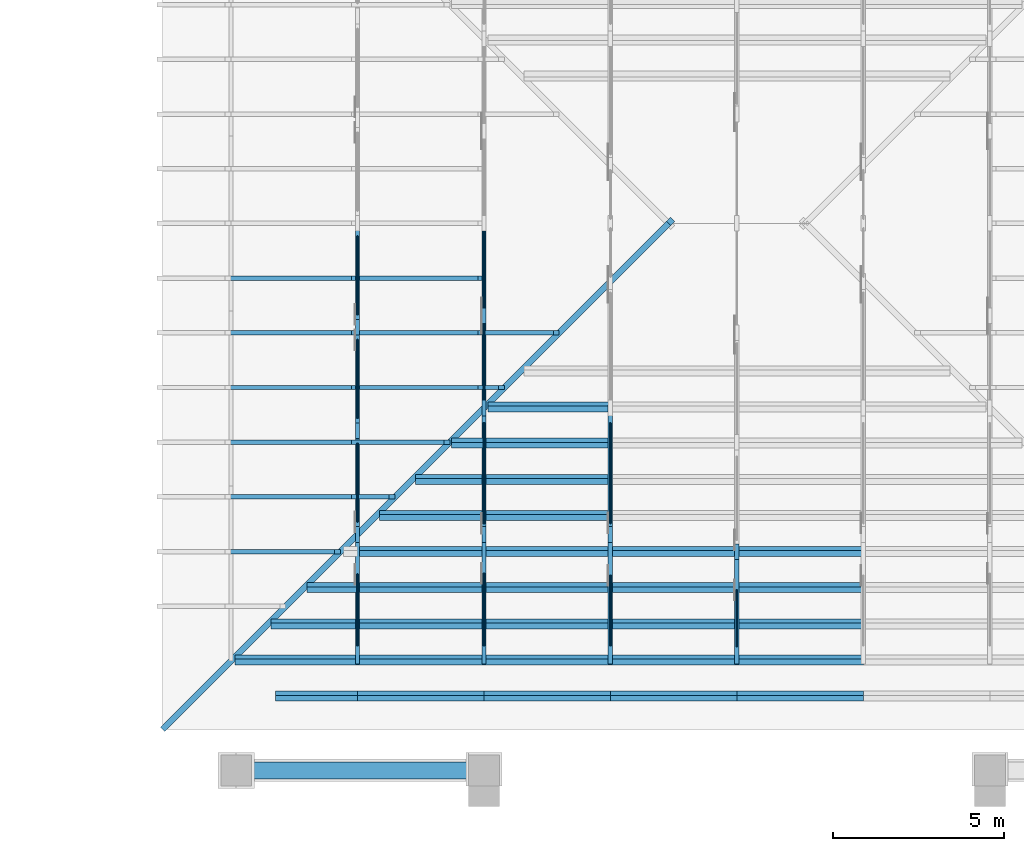
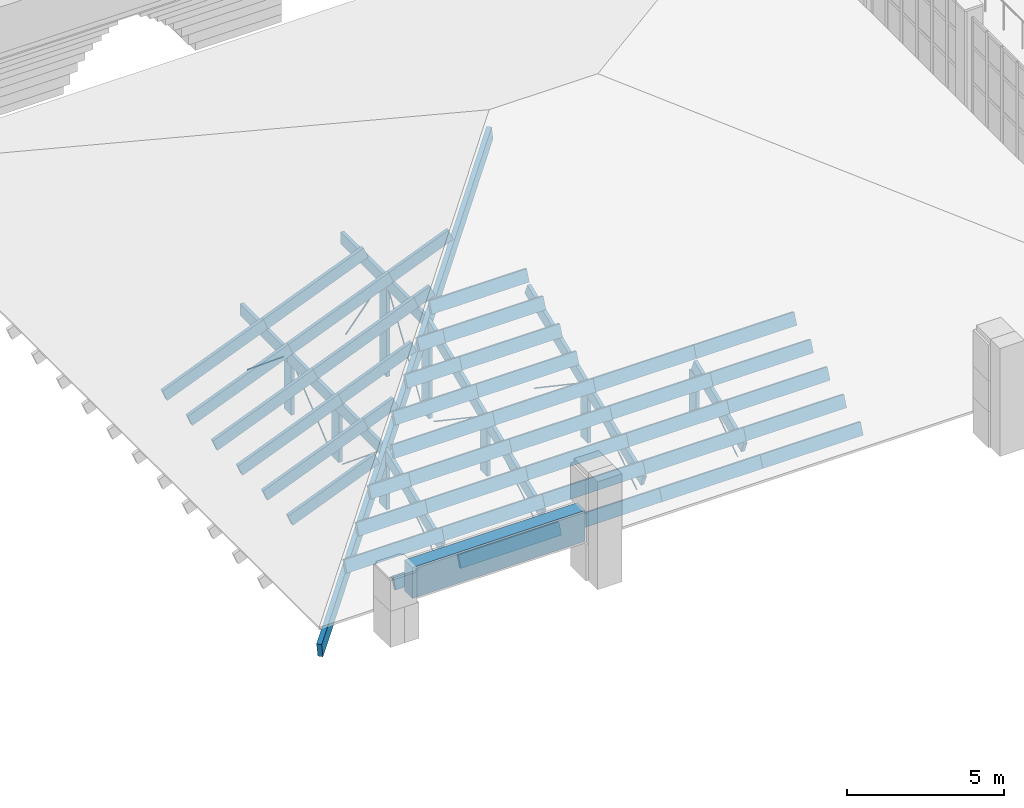
# One storey, part 4 of 68: 74 members, 2 beams.
"""IFC4 building model written with IfcOpenShell, lengths in metres."""

from ifc_helpers import new_model, si_unit, direction, frame, origin, origin_2d, place, context, subcontext, project, spatial, rectangle, circle, extrude, material, material_profile, profile_set, type_object, element, save


model = new_model("IFC4")

# Units and contexts
model_context = context("Model", 3, precision=1e-05, world=origin(), true_north=direction((0.0, 1.0)))
body_context = subcontext(model_context, "Body", "Model", "MODEL_VIEW")
ifc_project = project(units=[si_unit("LENGTHUNIT", "METRE"), si_unit("AREAUNIT", "SQUARE_METRE"), si_unit("VOLUMEUNIT", "CUBIC_METRE"), si_unit("PLANEANGLEUNIT", "RADIAN"), si_unit("MASSUNIT", "GRAM", prefix="KILO")], contexts=[model_context])

# Site, building, storey
site_placement = place(None, origin())
site = spatial("IfcSite", under=ifc_project, at=site_placement, CompositionType="ELEMENT")
building_placement = place(site_placement, origin())
building = spatial("IfcBuilding", under=site, at=building_placement, Name="Wasatch Bagh Community Centre", CompositionType="ELEMENT")
storey_placement = place(building_placement, frame((0.0, 0.0, 8.39990234375)))
storey = spatial("IfcBuildingStorey", under=building, at=storey_placement, Name="L02", CompositionType="ELEMENT", Elevation=8.39990234375)

# Beam
ifc_material_1 = material(Name="Concrete C35", Category="concrete")
ifc_material_profile_1 = material_profile(ifc_material_1, rectangle(XDim=0.5, YDim=1.199951171875, at=origin_2d()), Name="RC 500x1200")
ifc_profile_set_1 = profile_set([ifc_material_profile_1], Name="Concrete C35")
beam_type_1 = type_object("IfcBeamType", Name="CL-B3", PredefinedType="BEAM", material=ifc_profile_set_1)
beam_1_placement = place(storey_placement, frame((66.800048828125, 3.0, 2.0), z_axis=(1.0, 0.0, 0.0), x_axis=(0.0, 1.0, 0.0)))
element("IfcBeam", 1, at=beam_1_placement, inside=storey, type_object=beam_type_1, Name="CL-B3 head beam DHA1", PredefinedType="BEAM", context=body_context, shape_type="SweptSolid", body=[
    extrude(rectangle(XDim=0.5, YDim=1.199951171875, at=origin_2d()), origin(), (0.0, 0.0, 1.0), 6.349853515625),
])

# Members
ifc_material_2 = material(Name="Glulam 24F-V4 Douglas fir-larch", Category="wood")
ifc_material_profile_2 = material_profile(ifc_material_2, rectangle(XDim=0.130126953125, YDim=0.457275390625, at=origin_2d()), Name="GL 130x457")
ifc_profile_set_2 = profile_set([ifc_material_profile_2], Name="Glulam 24F-V4 Douglas fir-larch")
member_type_1 = type_object("IfcMemberType", Name="DH GL 130x457 chord", PredefinedType="CHORD", material=ifc_profile_set_2)
member_1_placement = place(storey_placement, frame((69.89990234375, 6.20068359375, 0.211181640625), z_axis=(0.0, 0.925992338678, 0.377542300557), x_axis=(-1.0, 0.0, 0.0)))
element("IfcMember", 2, at=member_1_placement, inside=storey, type_object=member_type_1, Name="DH.TH1.TC02", PredefinedType="CHORD", context=body_context, shape_type="SweptSolid", body=[
    extrude(rectangle(XDim=0.130126953125, YDim=0.457275390625, at=origin_2d()), origin(), (0.0, 0.0, 1.0), 3.94970703125),
])
member_2_placement = place(storey_placement, frame((69.89990234375, 9.945068359375, 1.719482421875), z_axis=(0.0, 0.999999035022, 0.001389228046), x_axis=(-1.0, 0.0, 0.0)))
element("IfcMember", 3, at=member_2_placement, inside=storey, type_object=member_type_1, Name="DH.TH1.TC03", PredefinedType="CHORD", context=body_context, shape_type="SweptSolid", body=[
    extrude(rectangle(XDim=0.130126953125, YDim=0.457275390625, at=origin_2d()), origin(), (0.0, 0.0, 1.0), 2.987548828125),
])
member_3_placement = place(storey_placement, frame((69.89990234375, 12.93408203125, 1.7236328125), z_axis=(0.0, 1.0, 0.0), x_axis=(-1.0, 0.0, 0.0)))
element("IfcMember", 4, at=member_3_placement, inside=storey, type_object=member_type_1, Name="DH.TH1.TC04", PredefinedType="CHORD", context=body_context, shape_type="SweptSolid", body=[
    extrude(rectangle(XDim=0.130126953125, YDim=0.457275390625, at=origin_2d()), origin(), (0.0, 0.0, 1.0), 3.031982421875),
])
member_4_placement = place(storey_placement, frame((69.89990234375, 15.96728515625, 1.7236328125), z_axis=(0.0, 1.0, 0.0), x_axis=(-1.0, 0.0, 0.0)))
element("IfcMember", 5, at=member_4_placement, inside=storey, type_object=member_type_1, Name="DH.TH1.TC05", PredefinedType="CHORD", context=body_context, shape_type="SweptSolid", body=[
    extrude(rectangle(XDim=0.130126953125, YDim=0.457275390625, at=origin_2d()), origin(), (0.0, 0.0, 1.0), 3.0322265625),
])
member_5_placement = place(storey_placement, frame((73.60009765625, 6.200439453125, 0.2109375), z_axis=(0.0, 0.927183797629, 0.374606734342), x_axis=(-1.0, 0.0, 0.0)))
element("IfcMember", 6, at=member_5_placement, inside=storey, type_object=member_type_1, Name="DH.TH2.TC02", PredefinedType="CHORD", context=body_context, shape_type="SweptSolid", body=[
    extrude(rectangle(XDim=0.130126953125, YDim=0.457275390625, at=origin_2d()), origin(), (0.0, 0.0, 1.0), 3.9892578125),
])
member_6_placement = place(storey_placement, frame((73.60009765625, 9.90087890625, 1.7060546875), z_axis=(0.0, 0.925983527477, 0.377563910936), x_axis=(-1.0, 0.0, 0.0)))
element("IfcMember", 7, at=member_6_placement, inside=storey, type_object=member_type_1, Name="DH.TH2.TC03", PredefinedType="CHORD", context=body_context, shape_type="SweptSolid", body=[
    extrude(rectangle(XDim=0.130126953125, YDim=0.457275390625, at=origin_2d()), origin(), (0.0, 0.0, 1.0), 3.949462890625),
])
member_7_placement = place(storey_placement, frame((73.60009765625, 13.64501953125, 3.21435546875), z_axis=(0.0, 0.999998777502, 0.001563647831), x_axis=(-1.0, 0.0, 0.0)))
element("IfcMember", 8, at=member_7_placement, inside=storey, type_object=member_type_1, Name="DH.TH2.TC04", PredefinedType="CHORD", context=body_context, shape_type="SweptSolid", body=[
    extrude(rectangle(XDim=0.130126953125, YDim=0.457275390625, at=origin_2d()), origin(), (0.0, 0.0, 1.0), 2.654296875),
])
member_8_placement = place(storey_placement, frame((73.60009765625, 16.30078125, 3.218505859375), z_axis=(0.0, 1.0, 0.0), x_axis=(-1.0, 0.0, 0.0)))
element("IfcMember", 9, at=member_8_placement, inside=storey, type_object=member_type_1, Name="DH.TH2.TC05", PredefinedType="CHORD", context=body_context, shape_type="SweptSolid", body=[
    extrude(rectangle(XDim=0.130126953125, YDim=0.457275390625, at=origin_2d()), origin(), (0.0, 0.0, 1.0), 2.69873046875),
])
member_9_placement = place(storey_placement, frame((77.300048828125, 6.200439453125, 0.2109375), z_axis=(0.0, 0.927179717978, 0.37461683167), x_axis=(-1.0, 0.0, 0.0)))
element("IfcMember", 10, at=member_9_placement, inside=storey, type_object=member_type_1, Name="DH.TH3.TC02", PredefinedType="CHORD", context=body_context, shape_type="SweptSolid", body=[
    extrude(rectangle(XDim=0.130126953125, YDim=0.457275390625, at=origin_2d()), origin(), (0.0, 0.0, 1.0), 3.98974609375),
])
member_10_placement = place(storey_placement, frame((77.300048828125, 9.900390625, 1.705810546875), z_axis=(0.0, 0.927183797629, 0.374606734342), x_axis=(-1.0, 0.0, 0.0)))
element("IfcMember", 11, at=member_10_placement, inside=storey, type_object=member_type_1, Name="DH.TH3.TC03", PredefinedType="CHORD", context=body_context, shape_type="SweptSolid", body=[
    extrude(rectangle(XDim=0.130126953125, YDim=0.457275390625, at=origin_2d()), origin(), (0.0, 0.0, 1.0), 3.9892578125),
])
member_11_placement = place(storey_placement, frame((81.0, 6.200439453125, 0.2109375), z_axis=(0.0, 0.927192693318, 0.374584715997), x_axis=(-1.0, 0.0, 0.0)))
element("IfcMember", 12, at=member_11_placement, inside=storey, type_object=member_type_1, Name="DH.TH4.TC02", PredefinedType="CHORD", context=body_context, shape_type="SweptSolid", body=[
    extrude(rectangle(XDim=0.130126953125, YDim=0.457275390625, at=origin_2d()), origin(), (0.0, 0.0, 1.0), 3.450439453125),
])
ifc_material_profile_3 = material_profile(ifc_material_2, rectangle(XDim=0.130126953125, YDim=0.457275390625, at=origin_2d()), Name="GL 130x457")
ifc_profile_set_3 = profile_set([ifc_material_profile_3], Name="Glulam 24F-V4 Douglas fir-larch")
member_type_2 = type_object("IfcMemberType", Name="DH GL 130x457 post", PredefinedType="POST", material=ifc_profile_set_3)
member_12_placement = place(storey_placement, frame((69.89990234375, 9.89990234375, -0.422607421875), z_axis=(0.0, 0.0, 1.0), x_axis=(1.0, 0.0, 0.0)))
element("IfcMember", 13, at=member_12_placement, inside=storey, type_object=member_type_2, Name="DH.TH1.PS02", PredefinedType="POST", context=body_context, shape_type="SweptSolid", body=[
    extrude(rectangle(XDim=0.130126953125, YDim=0.457275390625, at=origin_2d()), origin(), (0.0, 0.0, 1.0), 1.85498046875),
])
for number, where, z_axis, x_axis, name in (
    (14, (69.89990234375, 12.933349609375, -0.422607421875), (0.0, 0.0, 1.0), (1.0, 0.0, 0.0), "DH.TH1.PS03"),
    (15, (69.89990234375, 15.966552734375, -0.422607421875), (0.0, 0.0, 1.0), (1.0, 0.0, 0.0), "DH.TH1.PS04"),
):
    element("IfcMember", number, at=place(storey_placement, frame(where, z_axis=z_axis, x_axis=x_axis)), inside=storey, type_object=member_type_2, Name=name, PredefinedType="POST", context=body_context, shape_type="SweptSolid", body=[
        extrude(rectangle(XDim=0.130126953125, YDim=0.457275390625, at=origin_2d()), origin(), (0.0, 0.0, 1.0), 1.9169921875),
    ])
member_13_placement = place(storey_placement, frame((73.60009765625, 9.89990234375, -0.422607421875), z_axis=(0.0, 0.0, 1.0), x_axis=(1.0, 0.0, 0.0)))
element("IfcMember", 16, at=member_13_placement, inside=storey, type_object=member_type_2, Name="DH.TH2.PS02", PredefinedType="POST", context=body_context, shape_type="SweptSolid", body=[
    extrude(rectangle(XDim=0.130126953125, YDim=0.457275390625, at=origin_2d()), origin(), (0.0, 0.0, 1.0), 1.854248046875),
])
member_14_placement = place(storey_placement, frame((73.60009765625, 13.60009765625, -0.422607421875), z_axis=(0.0, 0.0, 1.0), x_axis=(1.0, 0.0, 0.0)))
element("IfcMember", 17, at=member_14_placement, inside=storey, type_object=member_type_2, Name="DH.TH2.PS03", PredefinedType="POST", context=body_context, shape_type="SweptSolid", body=[
    extrude(rectangle(XDim=0.130126953125, YDim=0.457275390625, at=origin_2d()), origin(), (0.0, 0.0, 1.0), 3.349853515625),
])
member_15_placement = place(storey_placement, frame((73.60009765625, 16.300048828125, -0.422607421875), z_axis=(0.0, 0.0, 1.0), x_axis=(1.0, 0.0, 0.0)))
element("IfcMember", 18, at=member_15_placement, inside=storey, type_object=member_type_2, Name="DH.TH2.PS04", PredefinedType="POST", context=body_context, shape_type="SweptSolid", body=[
    extrude(rectangle(XDim=0.130126953125, YDim=0.457275390625, at=origin_2d()), origin(), (0.0, 0.0, 1.0), 3.411865234375),
])
member_16_placement = place(storey_placement, frame((77.300048828125, 9.89990234375, -0.422607421875), z_axis=(0.0, 0.0, 1.0), x_axis=(1.0, 0.0, 0.0)))
element("IfcMember", 19, at=member_16_placement, inside=storey, type_object=member_type_2, Name="DH.TH3.PS02", PredefinedType="POST", context=body_context, shape_type="SweptSolid", body=[
    extrude(rectangle(XDim=0.130126953125, YDim=0.457275390625, at=origin_2d()), origin(), (0.0, 0.0, 1.0), 1.840576171875),
])
member_17_placement = place(storey_placement, frame((81.0, 9.39990234375, -0.422607421875), z_axis=(0.0, 0.0, 1.0), x_axis=(1.0, 0.0, 0.0)))
element("IfcMember", 20, at=member_17_placement, inside=storey, type_object=member_type_2, Name="DH.TH4.PS02", PredefinedType="POST", context=body_context, shape_type="SweptSolid", body=[
    extrude(rectangle(XDim=0.130126953125, YDim=0.457275390625, at=origin_2d()), origin(), (0.0, 0.0, 1.0), 1.6162109375),
])
ifc_material_profile_4 = material_profile(ifc_material_2, rectangle(XDim=0.130126953125, YDim=0.457275390625, at=origin_2d()), Name="GL 130x457")
ifc_profile_set_4 = profile_set([ifc_material_profile_4], Name="Glulam 24F-V4 Douglas fir-larch")
member_type_3 = type_object("IfcMemberType", Name="DH GL 130x457 purlin", PredefinedType="PURLIN", material=ifc_profile_set_4)
member_18_placement = place(storey_placement, frame((67.5, 5.17138671875, 0.288330078125), z_axis=(1.0, 0.0, 0.0), x_axis=(0.0, 0.927183854567, -0.374606593416)))
element("IfcMember", 21, at=member_18_placement, inside=storey, type_object=member_type_3, Name="DH.PUR.S02.1", PredefinedType="PURLIN", context=body_context, shape_type="SweptSolid", body=[
    extrude(rectangle(XDim=0.130126953125, YDim=0.457275390625, at=origin_2d()), origin(), (0.0, 0.0, 1.0), 2.39990234375),
])
member_19_placement = place(storey_placement, frame((69.89990234375, 5.17138671875, 0.288330078125), z_axis=(1.0, 0.0, 0.0), x_axis=(0.0, 0.927183854567, -0.374606593416)))
element("IfcMember", 22, at=member_19_placement, inside=storey, type_object=member_type_3, Name="DH.PUR.S02.2", PredefinedType="PURLIN", context=body_context, shape_type="SweptSolid", body=[
    extrude(rectangle(XDim=0.130126953125, YDim=0.457275390625, at=origin_2d()), origin(), (0.0, 0.0, 1.0), 3.7001953125),
])
for number, where, z_axis, x_axis, name in (
    (23, (73.60009765625, 5.17138671875, 0.288330078125), (1.0, 0.0, 0.0), (0.0, 0.927183854567, -0.374606593416), "DH.PUR.S02.3"),
    (24, (77.300048828125, 5.17138671875, 0.288330078125), (1.0, 0.0, 0.0), (0.0, 0.927183854567, -0.374606593416), "DH.PUR.S02.4"),
    (25, (81.0, 5.17138671875, 0.288330078125), (1.0, 0.0, 0.0), (0.0, 0.927183854567, -0.374606593416), "DH.PUR.S02.5"),
):
    element("IfcMember", number, at=place(storey_placement, frame(where, z_axis=z_axis, x_axis=x_axis)), inside=storey, type_object=member_type_3, Name=name, PredefinedType="PURLIN", context=body_context, shape_type="SweptSolid", body=[
        extrude(rectangle(XDim=0.130126953125, YDim=0.457275390625, at=origin_2d()), origin(), (0.0, 0.0, 1.0), 3.699951171875),
    ])
member_20_placement = place(storey_placement, frame((66.314208984375, 6.228759765625, 0.71533203125), z_axis=(1.0, 0.0, 0.0), x_axis=(0.0, 0.927183854567, -0.374606593416)))
element("IfcMember", 26, at=member_20_placement, inside=storey, type_object=member_type_3, Name="DH.PUR.S03.1", PredefinedType="PURLIN", context=body_context, shape_type="SweptSolid", body=[
    extrude(rectangle(XDim=0.130126953125, YDim=0.457275390625, at=origin_2d()), origin(), (0.0, 0.0, 1.0), 3.585693359375),
])
member_21_placement = place(storey_placement, frame((69.89990234375, 6.228759765625, 0.71533203125), z_axis=(1.0, 0.0, 0.0), x_axis=(0.0, 0.927183854567, -0.374606593416)))
element("IfcMember", 27, at=member_21_placement, inside=storey, type_object=member_type_3, Name="DH.PUR.S03.2", PredefinedType="PURLIN", context=body_context, shape_type="SweptSolid", body=[
    extrude(rectangle(XDim=0.130126953125, YDim=0.457275390625, at=origin_2d()), origin(), (0.0, 0.0, 1.0), 3.7001953125),
])
for number, where, z_axis, x_axis, name in (
    (28, (73.60009765625, 6.228759765625, 0.71533203125), (1.0, 0.0, 0.0), (0.0, 0.927183854567, -0.374606593416), "DH.PUR.S03.3"),
    (29, (77.300048828125, 6.228759765625, 0.71533203125), (1.0, 0.0, 0.0), (0.0, 0.927183854567, -0.374606593416), "DH.PUR.S03.4"),
    (30, (81.0, 6.228759765625, 0.71533203125), (1.0, 0.0, 0.0), (0.0, 0.927183854567, -0.374606593416), "DH.PUR.S03.5"),
):
    element("IfcMember", number, at=place(storey_placement, frame(where, z_axis=z_axis, x_axis=x_axis)), inside=storey, type_object=member_type_3, Name=name, PredefinedType="PURLIN", context=body_context, shape_type="SweptSolid", body=[
        extrude(rectangle(XDim=0.130126953125, YDim=0.457275390625, at=origin_2d()), origin(), (0.0, 0.0, 1.0), 3.699951171875),
    ])
member_22_placement = place(storey_placement, frame((67.371337890625, 7.285888671875, 1.142578125), z_axis=(1.0, 0.0, 0.0), x_axis=(0.0, 0.927183854567, -0.374606593416)))
element("IfcMember", 31, at=member_22_placement, inside=storey, type_object=member_type_3, Name="DH.PUR.S04.1", PredefinedType="PURLIN", context=body_context, shape_type="SweptSolid", body=[
    extrude(rectangle(XDim=0.130126953125, YDim=0.457275390625, at=origin_2d()), origin(), (0.0, 0.0, 1.0), 2.528564453125),
])
member_23_placement = place(storey_placement, frame((69.89990234375, 7.285888671875, 1.142578125), z_axis=(1.0, 0.0, 0.0), x_axis=(0.0, 0.927183854567, -0.374606593416)))
element("IfcMember", 32, at=member_23_placement, inside=storey, type_object=member_type_3, Name="DH.PUR.S04.2", PredefinedType="PURLIN", context=body_context, shape_type="SweptSolid", body=[
    extrude(rectangle(XDim=0.130126953125, YDim=0.457275390625, at=origin_2d()), origin(), (0.0, 0.0, 1.0), 3.7001953125),
])
for number, where, z_axis, x_axis, name in (
    (33, (73.60009765625, 7.285888671875, 1.142578125), (1.0, 0.0, 0.0), (0.0, 0.927183854567, -0.374606593416), "DH.PUR.S04.3"),
    (34, (77.300048828125, 7.285888671875, 1.142578125), (1.0, 0.0, 0.0), (0.0, 0.927183854567, -0.374606593416), "DH.PUR.S04.4"),
    (35, (81.0, 7.285888671875, 1.142578125), (1.0, 0.0, 0.0), (0.0, 0.927183854567, -0.374606593416), "DH.PUR.S04.5"),
):
    element("IfcMember", number, at=place(storey_placement, frame(where, z_axis=z_axis, x_axis=x_axis)), inside=storey, type_object=member_type_3, Name=name, PredefinedType="PURLIN", context=body_context, shape_type="SweptSolid", body=[
        extrude(rectangle(XDim=0.130126953125, YDim=0.457275390625, at=origin_2d()), origin(), (0.0, 0.0, 1.0), 3.699951171875),
    ])
member_24_placement = place(storey_placement, frame((68.428466796875, 8.343017578125, 1.569580078125), z_axis=(1.0, 0.0, 0.0), x_axis=(0.0, 0.927183854567, -0.374606593416)))
element("IfcMember", 36, at=member_24_placement, inside=storey, type_object=member_type_3, Name="DH.PUR.S05.1", PredefinedType="PURLIN", context=body_context, shape_type="SweptSolid", body=[
    extrude(rectangle(XDim=0.130126953125, YDim=0.457275390625, at=origin_2d()), origin(), (0.0, 0.0, 1.0), 1.471435546875),
])
member_25_placement = place(storey_placement, frame((69.89990234375, 8.343017578125, 1.569580078125), z_axis=(1.0, 0.0, 0.0), x_axis=(0.0, 0.927183854567, -0.374606593416)))
element("IfcMember", 37, at=member_25_placement, inside=storey, type_object=member_type_3, Name="DH.PUR.S05.2", PredefinedType="PURLIN", context=body_context, shape_type="SweptSolid", body=[
    extrude(rectangle(XDim=0.130126953125, YDim=0.457275390625, at=origin_2d()), origin(), (0.0, 0.0, 1.0), 3.7001953125),
])
for number, where, z_axis, x_axis, name in (
    (38, (73.60009765625, 8.343017578125, 1.569580078125), (1.0, 0.0, 0.0), (0.0, 0.927183854567, -0.374606593416), "DH.PUR.S05.3"),
    (39, (77.300048828125, 8.343017578125, 1.569580078125), (1.0, 0.0, 0.0), (0.0, 0.927183854567, -0.374606593416), "DH.PUR.S05.4"),
    (40, (81.0, 8.343017578125, 1.569580078125), (1.0, 0.0, 0.0), (0.0, 0.927183854567, -0.374606593416), "DH.PUR.S05.5"),
):
    element("IfcMember", number, at=place(storey_placement, frame(where, z_axis=z_axis, x_axis=x_axis)), inside=storey, type_object=member_type_3, Name=name, PredefinedType="PURLIN", context=body_context, shape_type="SweptSolid", body=[
        extrude(rectangle(XDim=0.130126953125, YDim=0.457275390625, at=origin_2d()), origin(), (0.0, 0.0, 1.0), 3.699951171875),
    ])
member_26_placement = place(storey_placement, frame((69.89990234375, 9.400146484375, 1.996826171875), z_axis=(1.0, 0.0, 0.0), x_axis=(0.0, 0.927183854567, -0.374606593416)))
element("IfcMember", 41, at=member_26_placement, inside=storey, type_object=member_type_3, Name="DH.PUR.S06.2", PredefinedType="PURLIN", context=body_context, shape_type="SweptSolid", body=[
    extrude(rectangle(XDim=0.130126953125, YDim=0.457275390625, at=origin_2d()), origin(), (0.0, 0.0, 1.0), 3.7001953125),
])
for number, where, z_axis, x_axis, name in (
    (42, (73.60009765625, 9.400146484375, 1.996826171875), (1.0, 0.0, 0.0), (0.0, 0.927183854567, -0.374606593416), "DH.PUR.S06.3"),
    (43, (77.300048828125, 9.400146484375, 1.996826171875), (1.0, 0.0, 0.0), (0.0, 0.927183854567, -0.374606593416), "DH.PUR.S06.4"),
    (44, (81.0, 9.400146484375, 1.996826171875), (1.0, 0.0, 0.0), (0.0, 0.927183854567, -0.374606593416), "DH.PUR.S06.5"),
):
    element("IfcMember", number, at=place(storey_placement, frame(where, z_axis=z_axis, x_axis=x_axis)), inside=storey, type_object=member_type_3, Name=name, PredefinedType="PURLIN", context=body_context, shape_type="SweptSolid", body=[
        extrude(rectangle(XDim=0.130126953125, YDim=0.457275390625, at=origin_2d()), origin(), (0.0, 0.0, 1.0), 3.699951171875),
    ])
member_27_placement = place(storey_placement, frame((70.54296875, 10.457275390625, 2.423828125), z_axis=(1.0, 0.0, 0.0), x_axis=(0.0, 0.927183854567, -0.374606593416)))
element("IfcMember", 45, at=member_27_placement, inside=storey, type_object=member_type_3, Name="DH.PUR.S07.1", PredefinedType="PURLIN", context=body_context, shape_type="SweptSolid", body=[
    extrude(rectangle(XDim=0.130126953125, YDim=0.457275390625, at=origin_2d()), origin(), (0.0, 0.0, 1.0), 3.05712890625),
])
member_28_placement = place(storey_placement, frame((73.60009765625, 10.457275390625, 2.423828125), z_axis=(1.0, 0.0, 0.0), x_axis=(0.0, 0.927183854567, -0.374606593416)))
element("IfcMember", 46, at=member_28_placement, inside=storey, type_object=member_type_3, Name="DH.PUR.S07.2", PredefinedType="PURLIN", context=body_context, shape_type="SweptSolid", body=[
    extrude(rectangle(XDim=0.130126953125, YDim=0.457275390625, at=origin_2d()), origin(), (0.0, 0.0, 1.0), 3.699951171875),
])
member_29_placement = place(storey_placement, frame((71.60009765625, 11.514404296875, 2.85107421875), z_axis=(1.0, 0.0, 0.0), x_axis=(0.0, 0.927183854567, -0.374606593416)))
element("IfcMember", 47, at=member_29_placement, inside=storey, type_object=member_type_3, Name="DH.PUR.S08.1", PredefinedType="PURLIN", context=body_context, shape_type="SweptSolid", body=[
    extrude(rectangle(XDim=0.130126953125, YDim=0.457275390625, at=origin_2d()), origin(), (0.0, 0.0, 1.0), 2.0),
])
member_30_placement = place(storey_placement, frame((73.60009765625, 11.514404296875, 2.85107421875), z_axis=(1.0, 0.0, 0.0), x_axis=(0.0, 0.927183854567, -0.374606593416)))
element("IfcMember", 48, at=member_30_placement, inside=storey, type_object=member_type_3, Name="DH.PUR.S08.2", PredefinedType="PURLIN", context=body_context, shape_type="SweptSolid", body=[
    extrude(rectangle(XDim=0.130126953125, YDim=0.457275390625, at=origin_2d()), origin(), (0.0, 0.0, 1.0), 3.699951171875),
])
member_31_placement = place(storey_placement, frame((72.6572265625, 12.571533203125, 3.278076171875), z_axis=(1.0, 0.0, 0.0), x_axis=(0.0, 0.927183854567, -0.374606593416)))
element("IfcMember", 49, at=member_31_placement, inside=storey, type_object=member_type_3, Name="DH.PUR.S09.1", PredefinedType="PURLIN", context=body_context, shape_type="SweptSolid", body=[
    extrude(rectangle(XDim=0.130126953125, YDim=0.457275390625, at=origin_2d()), origin(), (0.0, 0.0, 1.0), 0.94287109375),
])
member_32_placement = place(storey_placement, frame((73.60009765625, 12.571533203125, 3.278076171875), z_axis=(1.0, 0.0, 0.0), x_axis=(0.0, 0.927183854567, -0.374606593416)))
element("IfcMember", 50, at=member_32_placement, inside=storey, type_object=member_type_3, Name="DH.PUR.S09.2", PredefinedType="PURLIN", context=body_context, shape_type="SweptSolid", body=[
    extrude(rectangle(XDim=0.130126953125, YDim=0.457275390625, at=origin_2d()), origin(), (0.0, 0.0, 1.0), 3.699951171875),
])
member_33_placement = place(storey_placement, frame((73.71435546875, 13.628662109375, 3.705322265625), z_axis=(1.0, 0.0, 0.0), x_axis=(0.0, 0.927183854567, -0.374606593416)))
element("IfcMember", 51, at=member_33_placement, inside=storey, type_object=member_type_3, Name="DH.PUR.S10.1", PredefinedType="PURLIN", context=body_context, shape_type="SweptSolid", body=[
    extrude(rectangle(XDim=0.130126953125, YDim=0.457275390625, at=origin_2d()), origin(), (0.0, 0.0, 1.0), 3.585693359375),
])
ifc_material_profile_5 = material_profile(ifc_material_2, rectangle(XDim=0.130126953125, YDim=0.457275390625, at=origin_2d()), Name="GL 130x457")
ifc_profile_set_5 = profile_set([ifc_material_profile_5], Name="Glulam 24F-V4 Douglas fir-larch")
member_type_4 = type_object("IfcMemberType", Name="DH GL 130x457 rafter", PredefinedType="RAFTER", material=ifc_profile_set_5)
member_34_placement = place(storey_placement, frame((66.1142578125, 9.39990234375, 0.669189453125), z_axis=(0.927183259239, 0.0, 0.3746080669), x_axis=(0.0, 1.0, 0.0)))
element("IfcMember", 52, at=member_34_placement, inside=storey, type_object=member_type_4, Name="DH.RAF.W02.2", PredefinedType="RAFTER", context=body_context, shape_type="SweptSolid", body=[
    extrude(rectangle(XDim=0.130126953125, YDim=0.457275390625, at=origin_2d()), origin(), (0.0, 0.0, 1.0), 3.451416015625),
])
member_35_placement = place(storey_placement, frame((66.1142578125, 11.0, 0.669189453125), z_axis=(0.927192810061, 0.0, 0.374584427026), x_axis=(0.0, 1.0, 0.0)))
element("IfcMember", 53, at=member_35_placement, inside=storey, type_object=member_type_4, Name="DH.RAF.W03.2", PredefinedType="RAFTER", context=body_context, shape_type="SweptSolid", body=[
    extrude(rectangle(XDim=0.130126953125, YDim=0.457275390625, at=origin_2d()), origin(), (0.0, 0.0, 1.0), 3.99072265625),
])
member_36_placement = place(storey_placement, frame((69.814453125, 11.0, 2.1640625), z_axis=(0.927122236955, 0.0, 0.374759066259), x_axis=(0.0, 1.0, 0.0)))
element("IfcMember", 54, at=member_36_placement, inside=storey, type_object=member_type_4, Name="DH.RAF.W03.3", PredefinedType="RAFTER", context=body_context, shape_type="SweptSolid", body=[
    extrude(rectangle(XDim=0.130126953125, YDim=0.457275390625, at=origin_2d()), origin(), (0.0, 0.0, 1.0), 1.186279296875),
])
member_37_placement = place(storey_placement, frame((66.1142578125, 12.60009765625, 0.669189453125), z_axis=(0.927192810061, 0.0, 0.374584427026), x_axis=(0.0, 1.0, 0.0)))
element("IfcMember", 55, at=member_37_placement, inside=storey, type_object=member_type_4, Name="DH.RAF.W04.2", PredefinedType="RAFTER", context=body_context, shape_type="SweptSolid", body=[
    extrude(rectangle(XDim=0.130126953125, YDim=0.457275390625, at=origin_2d()), origin(), (0.0, 0.0, 1.0), 3.99072265625),
])
member_38_placement = place(storey_placement, frame((69.814453125, 12.60009765625, 2.1640625), z_axis=(0.927158403169, 0.0, 0.374669581677), x_axis=(0.0, 1.0, 0.0)))
element("IfcMember", 56, at=member_38_placement, inside=storey, type_object=member_type_4, Name="DH.RAF.W04.3", PredefinedType="RAFTER", context=body_context, shape_type="SweptSolid", body=[
    extrude(rectangle(XDim=0.130126953125, YDim=0.457275390625, at=origin_2d()), origin(), (0.0, 0.0, 1.0), 2.912109375),
])
member_39_placement = place(storey_placement, frame((66.1142578125, 14.199951171875, 0.669189453125), z_axis=(0.927192810061, 0.0, 0.374584427026), x_axis=(0.0, 1.0, 0.0)))
element("IfcMember", 57, at=member_39_placement, inside=storey, type_object=member_type_4, Name="DH.RAF.W05.2", PredefinedType="RAFTER", context=body_context, shape_type="SweptSolid", body=[
    extrude(rectangle(XDim=0.130126953125, YDim=0.457275390625, at=origin_2d()), origin(), (0.0, 0.0, 1.0), 3.99072265625),
])
member_40_placement = place(storey_placement, frame((69.814453125, 14.199951171875, 2.1640625), z_axis=(0.927184225426, 0.0, 0.374605675505), x_axis=(0.0, 1.0, 0.0)))
element("IfcMember", 58, at=member_40_placement, inside=storey, type_object=member_type_4, Name="DH.RAF.W05.3", PredefinedType="RAFTER", context=body_context, shape_type="SweptSolid", body=[
    extrude(rectangle(XDim=0.130126953125, YDim=0.457275390625, at=origin_2d()), origin(), (0.0, 0.0, 1.0), 3.990478515625),
])
member_41_placement = place(storey_placement, frame((73.514404296875, 14.199951171875, 3.658935546875), z_axis=(0.927143538775, 0.0, 0.374706363046), x_axis=(0.0, 1.0, 0.0)))
element("IfcMember", 59, at=member_41_placement, inside=storey, type_object=member_type_4, Name="DH.RAF.W05.4", PredefinedType="RAFTER", context=body_context, shape_type="SweptSolid", body=[
    extrude(rectangle(XDim=0.130126953125, YDim=0.457275390625, at=origin_2d()), origin(), (0.0, 0.0, 1.0), 0.64697265625),
])
member_42_placement = place(storey_placement, frame((66.1142578125, 15.800048828125, 0.669189453125), z_axis=(0.927192810061, 0.0, 0.374584427026), x_axis=(0.0, 1.0, 0.0)))
element("IfcMember", 60, at=member_42_placement, inside=storey, type_object=member_type_4, Name="DH.RAF.W06.2", PredefinedType="RAFTER", context=body_context, shape_type="SweptSolid", body=[
    extrude(rectangle(XDim=0.130126953125, YDim=0.457275390625, at=origin_2d()), origin(), (0.0, 0.0, 1.0), 3.99072265625),
])
member_43_placement = place(storey_placement, frame((69.814453125, 15.800048828125, 2.1640625), z_axis=(0.927184225426, 0.0, 0.374605675505), x_axis=(0.0, 1.0, 0.0)))
element("IfcMember", 61, at=member_43_placement, inside=storey, type_object=member_type_4, Name="DH.RAF.W06.3", PredefinedType="RAFTER", context=body_context, shape_type="SweptSolid", body=[
    extrude(rectangle(XDim=0.130126953125, YDim=0.457275390625, at=origin_2d()), origin(), (0.0, 0.0, 1.0), 3.990478515625),
])
member_44_placement = place(storey_placement, frame((73.514404296875, 15.800048828125, 3.658935546875), z_axis=(0.927172429486, 0.0, 0.374634870243), x_axis=(0.0, 1.0, 0.0)))
element("IfcMember", 62, at=member_44_placement, inside=storey, type_object=member_type_4, Name="DH.RAF.W06.4", PredefinedType="RAFTER", context=body_context, shape_type="SweptSolid", body=[
    extrude(rectangle(XDim=0.130126953125, YDim=0.457275390625, at=origin_2d()), origin(), (0.0, 0.0, 1.0), 2.372802734375),
])
member_45_placement = place(storey_placement, frame((66.1142578125, 17.39990234375, 0.669189453125), z_axis=(0.927192810061, 0.0, 0.374584427026), x_axis=(0.0, 1.0, 0.0)))
element("IfcMember", 63, at=member_45_placement, inside=storey, type_object=member_type_4, Name="DH.RAF.W07.2", PredefinedType="RAFTER", context=body_context, shape_type="SweptSolid", body=[
    extrude(rectangle(XDim=0.130126953125, YDim=0.457275390625, at=origin_2d()), origin(), (0.0, 0.0, 1.0), 3.99072265625),
])
member_46_placement = place(storey_placement, frame((69.814453125, 17.39990234375, 2.1640625), z_axis=(0.927184225426, 0.0, 0.374605675505), x_axis=(0.0, 1.0, 0.0)))
element("IfcMember", 64, at=member_46_placement, inside=storey, type_object=member_type_4, Name="DH.RAF.W07.3", PredefinedType="RAFTER", context=body_context, shape_type="SweptSolid", body=[
    extrude(rectangle(XDim=0.130126953125, YDim=0.457275390625, at=origin_2d()), origin(), (0.0, 0.0, 1.0), 3.990478515625),
])

# Beam
ifc_material_profile_6 = material_profile(ifc_material_2, rectangle(XDim=0.17138671875, YDim=0.609619140625, at=origin_2d()), Name="GL 171x610")
ifc_profile_set_6 = profile_set([ifc_material_profile_6], Name="Glulam 24F-V4 Douglas fir-larch")
beam_type_2 = type_object("IfcBeamType", Name="DH GL 171x610 beam", PredefinedType="BEAM", material=ifc_profile_set_6)
beam_2_placement = place(storey_placement, frame((64.25927734375, 4.25927734375, -0.643798828125), z_axis=(0.679905514424, 0.679905514424, 0.274694344522), x_axis=(-0.707106781187, 0.707106781187, 0.0)))
element("IfcBeam", 65, at=beam_2_placement, inside=storey, type_object=beam_type_2, Name="DH.hip.sw", PredefinedType="BEAM", context=body_context, shape_type="SweptSolid", body=[
    extrude(rectangle(XDim=0.17138671875, YDim=0.609619140625, at=origin_2d()), origin(), (0.0, 0.0, 1.0), 21.767822265625),
])

# Members
ifc_material_3 = material(Name="ASTM A572 Grade 50 steel", Category="steel")
ifc_material_profile_7 = material_profile(ifc_material_3, circle(Radius=0.01611328125, at=origin_2d()), Name="ROD 32")
ifc_profile_set_7 = profile_set([ifc_material_profile_7], Name="ASTM A572 Grade 50 steel")
member_type_5 = type_object("IfcMemberType", Name="DH ROD 32 brace", PredefinedType="BRACE", material=ifc_profile_set_7)
member_47_placement = place(storey_placement, frame((69.89990234375, 6.6474609375, -0.408935546875), z_axis=(0.0, 0.834382556645, 0.551185766476), x_axis=(-1.0, 0.0, 0.0)))
element("IfcMember", 66, at=member_47_placement, inside=storey, type_object=member_type_5, Name="DH.TH1.WB01", PredefinedType="BRACE", context=body_context, shape_type="SweptSolid", body=[
    extrude(circle(Radius=0.01611328125, at=origin_2d()), origin(), (0.0, 0.0, 1.0), 2.50439453125),
])
member_48_placement = place(storey_placement, frame((69.89990234375, 12.561767578125, -0.409912109375), z_axis=(0.0, -0.771614424443, 0.636090543863), x_axis=(1.0, 0.0, 0.0)))
element("IfcMember", 67, at=member_48_placement, inside=storey, type_object=member_type_5, Name="DH.TH1.WB02", PredefinedType="BRACE", context=body_context, shape_type="SweptSolid", body=[
    extrude(circle(Radius=0.01611328125, at=origin_2d()), origin(), (0.0, 0.0, 1.0), 2.96875),
])
for number, where, z_axis, x_axis, name in (
    (68, (69.89990234375, 13.30419921875, -0.409912109375), (0.0, 0.771109056571, 0.636703088475), (-1.0, 0.0, 0.0), "DH.TH1.WB03"),
    (69, (69.89990234375, 18.629150390625, -0.409912109375), (0.0, -0.771109056571, 0.636703088475), (1.0, 0.0, 0.0), "DH.TH1.WB04"),
):
    element("IfcMember", number, at=place(storey_placement, frame(where, z_axis=z_axis, x_axis=x_axis)), inside=storey, type_object=member_type_5, Name=name, PredefinedType="BRACE", context=body_context, shape_type="SweptSolid", body=[
        extrude(circle(Radius=0.01611328125, at=origin_2d()), origin(), (0.0, 0.0, 1.0), 2.9716796875),
    ])
member_49_placement = place(storey_placement, frame((73.60009765625, 6.649658203125, -0.408935546875), z_axis=(0.0, 0.835798110223, 0.549036901262), x_axis=(-1.0, 0.0, 0.0)))
element("IfcMember", 70, at=member_49_placement, inside=storey, type_object=member_type_5, Name="DH.TH2.WB01", PredefinedType="BRACE", context=body_context, shape_type="SweptSolid", body=[
    extrude(circle(Radius=0.01611328125, at=origin_2d()), origin(), (0.0, 0.0, 1.0), 2.522705078125),
])
member_50_placement = place(storey_placement, frame((73.60009765625, 13.16064453125, -0.408935546875), z_axis=(0.0, -0.828766546719, 0.559594505905), x_axis=(1.0, 0.0, 0.0)))
element("IfcMember", 71, at=member_50_placement, inside=storey, type_object=member_type_5, Name="DH.TH2.WB02", PredefinedType="BRACE", context=body_context, shape_type="SweptSolid", body=[
    extrude(circle(Radius=0.01611328125, at=origin_2d()), origin(), (0.0, 0.0, 1.0), 3.550048828125),
])
member_51_placement = place(storey_placement, frame((73.60009765625, 13.83203125, -0.413330078125), z_axis=(0.0, 0.550172478391, 0.835051042764), x_axis=(-1.0, 0.0, 0.0)))
element("IfcMember", 72, at=member_51_placement, inside=storey, type_object=member_type_5, Name="DH.TH2.WB03", PredefinedType="BRACE", context=body_context, shape_type="SweptSolid", body=[
    extrude(circle(Radius=0.01611328125, at=origin_2d()), origin(), (0.0, 0.0, 1.0), 4.06396484375),
])
member_52_placement = place(storey_placement, frame((73.60009765625, 18.767822265625, -0.413330078125), z_axis=(0.0, -0.55014487941, 0.835069225669), x_axis=(1.0, 0.0, 0.0)))
element("IfcMember", 73, at=member_52_placement, inside=storey, type_object=member_type_5, Name="DH.TH2.WB04", PredefinedType="BRACE", context=body_context, shape_type="SweptSolid", body=[
    extrude(circle(Radius=0.01611328125, at=origin_2d()), origin(), (0.0, 0.0, 1.0), 4.064208984375),
])
member_53_placement = place(storey_placement, frame((77.300048828125, 6.649658203125, -0.408935546875), z_axis=(0.0, 0.835807102257, 0.549023212457), x_axis=(-1.0, 0.0, 0.0)))
element("IfcMember", 74, at=member_53_placement, inside=storey, type_object=member_type_5, Name="DH.TH3.WB01", PredefinedType="BRACE", context=body_context, shape_type="SweptSolid", body=[
    extrude(circle(Radius=0.01611328125, at=origin_2d()), origin(), (0.0, 0.0, 1.0), 2.456787109375),
])
member_54_placement = place(storey_placement, frame((77.300048828125, 13.16064453125, -0.408935546875), z_axis=(0.0, -0.82878543143, 0.559566536392), x_axis=(1.0, 0.0, 0.0)))
element("IfcMember", 75, at=member_54_placement, inside=storey, type_object=member_type_5, Name="DH.TH3.WB02", PredefinedType="BRACE", context=body_context, shape_type="SweptSolid", body=[
    extrude(circle(Radius=0.01611328125, at=origin_2d()), origin(), (0.0, 0.0, 1.0), 3.535888671875),
])
member_55_placement = place(storey_placement, frame((81.0, 6.626708984375, -0.4091796875), z_axis=(0.0, 0.819948427448, 0.572437399482), x_axis=(-1.0, 0.0, 0.0)))
element("IfcMember", 76, at=member_55_placement, inside=storey, type_object=member_type_5, Name="DH.TH4.WB01", PredefinedType="BRACE", context=body_context, shape_type="SweptSolid", body=[
    extrude(circle(Radius=0.01611328125, at=origin_2d()), origin(), (0.0, 0.0, 1.0), 2.01513671875),
])

save(model, "model.ifc")
